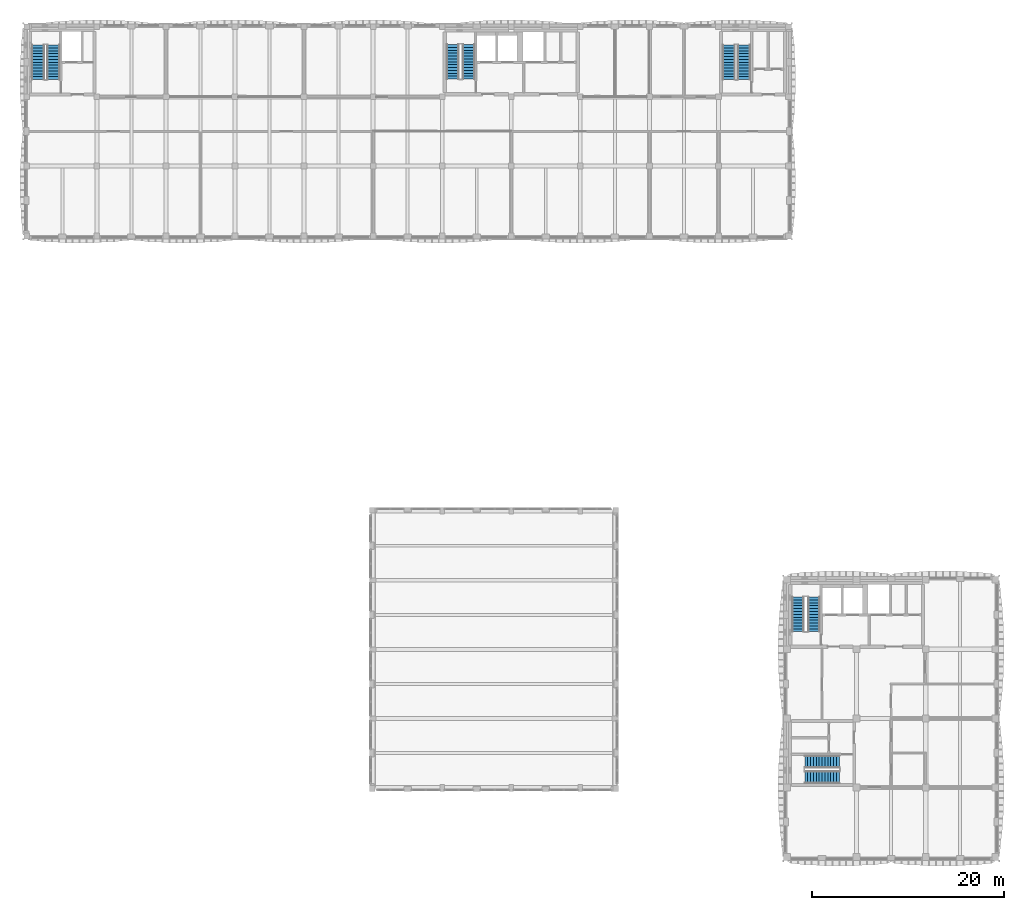
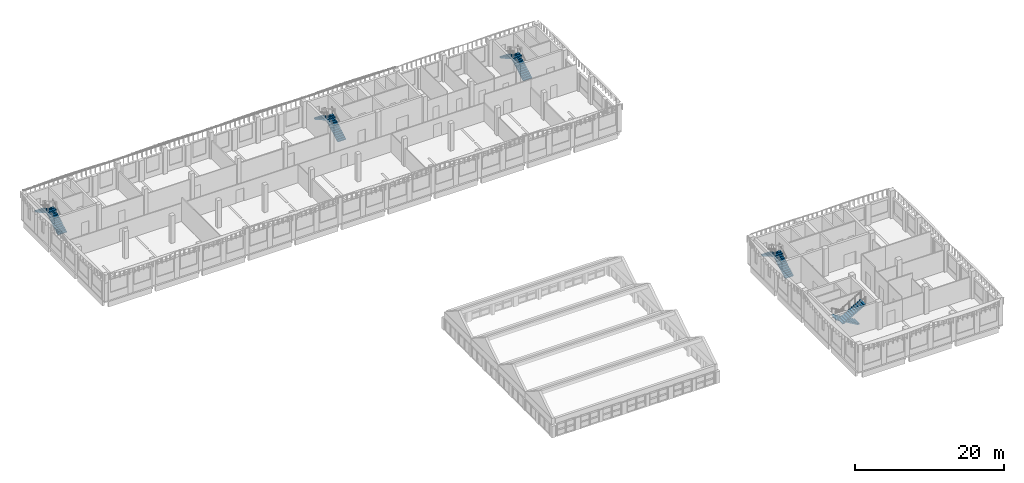
# One storey, part 18 of 38: 10 stair flights, 5 elements without a shape of their own.
"""IFC4 building model written with IfcOpenShell, lengths in metres."""

from ifc_helpers import new_model, si_unit, direction, frame, origin, place, context, subcontext, project, spatial, polyline, outline, extrude, material, type_object, element, aggregate, save


model = new_model("IFC4")

# Units and contexts
model_context = context("Model", 3, precision=1e-05, world=origin(), true_north=direction((0.0, 1.0)))
body_context = subcontext(model_context, "Body", "Model", "MODEL_VIEW")
ifc_project = project(units=[si_unit("LENGTHUNIT", "METRE"), si_unit("AREAUNIT", "SQUARE_METRE"), si_unit("VOLUMEUNIT", "CUBIC_METRE"), si_unit("PLANEANGLEUNIT", "RADIAN"), si_unit("MASSUNIT", "GRAM", prefix="KILO")], contexts=[model_context])

# Site, building, storey
site_placement = place(None, origin())
site = spatial("IfcSite", under=ifc_project, at=site_placement, CompositionType="ELEMENT")
building_placement = place(site_placement, origin())
building = spatial("IfcBuilding", under=site, at=building_placement, Name="Ussher Court Research Institute", CompositionType="ELEMENT")
storey_placement = place(building_placement, frame((0.0, 0.0, 23.39990234375)))
storey = spatial("IfcBuildingStorey", under=building, at=storey_placement, Name="L05", CompositionType="ELEMENT", Elevation=23.39990234375)

# Stair, stair flights
ifc_material_1 = material(Name="Concrete C35/45", Category="concrete")
stair_type_1 = type_object("IfcStairType", Name="Core stair 26 risers 173 mm x 300 going 1280 wide", PredefinedType="HALF_TURN_STAIR", material=ifc_material_1)
stair_1_placement = place(storey_placement, origin())
stair_1 = element("IfcStair", 1, at=stair_1_placement, inside=storey, type_object=stair_type_1, Name="L05 Stair D2", PredefinedType="HALF_TURN_STAIR")
ifc_material_2 = material(Name="Concrete C35/45", Category="concrete")
stair_flight_type_1 = type_object("IfcStairFlightType", Name="Stair flight 13 risers 1280 RC", PredefinedType="STRAIGHT", material=ifc_material_2)
stair_flight_1_placement = place(storey_placement, frame((48.9599609375, 85.050048828125, 0.0), z_axis=(0.0, 0.0, 1.0), x_axis=(0.0, 1.0, 0.0)))
stair_flight_1 = element("IfcStairFlight", 2, at=stair_flight_1_placement, type_object=stair_flight_type_1, Name="D2 flight 1", NumberOfRisers=13, NumberOfTreads=12, PredefinedType="STRAIGHT", RiserHeight=0.173076923, TreadLength=0.3, context=body_context, shape_type="SweptSolid", body=[
    extrude(outline(polyline([(0.0, 0.0), (0.0, 0.173095703125), (0.300048828125, 0.173095703125), (0.300048828125, 0.34619140625), (0.60009765625, 0.34619140625), (0.60009765625, 0.519287109375), (0.89990234375, 0.519287109375), (0.89990234375, 0.6923828125), (1.199951171875, 0.6923828125), (1.199951171875, 0.865478515625), (1.5, 0.865478515625), (1.5, 1.03857421875), (1.800048828125, 1.03857421875), (1.800048828125, 1.21142578125), (2.10009765625, 1.21142578125), (2.10009765625, 1.384521484375), (2.39990234375, 1.384521484375), (2.39990234375, 1.5576171875), (2.699951171875, 1.5576171875), (2.699951171875, 1.730712890625), (3.0, 1.730712890625), (3.0, 1.90380859375), (3.300048828125, 1.90380859375), (3.300048828125, 2.076904296875), (3.60009765625, 2.076904296875), (3.60009765625, 2.25), (3.60009765625, 1.90380859375), (0.300048828125, 0.0), (0.0, 0.0)])), frame((0.0, 0.64013671875, 0.0), z_axis=(0.0, -1.0, 0.0), x_axis=(1.0, 0.0, 0.0)), (0.0, 0.0, 1.0), 1.280029296875),
])
stair_flight_2_placement = place(storey_placement, frame((47.2900390625, 88.64990234375, 2.25), z_axis=(0.0, 0.0, 1.0), x_axis=(0.0, -1.0, 0.0)))
stair_flight_2 = element("IfcStairFlight", 3, at=stair_flight_2_placement, type_object=stair_flight_type_1, Name="D2 flight 2", NumberOfRisers=13, NumberOfTreads=12, PredefinedType="STRAIGHT", RiserHeight=0.173076923, TreadLength=0.3, context=body_context, shape_type="SweptSolid", body=[
    extrude(outline(polyline([(0.0, 0.0), (0.0, 0.173095703125), (0.300048828125, 0.173095703125), (0.300048828125, 0.34619140625), (0.60009765625, 0.34619140625), (0.60009765625, 0.519287109375), (0.89990234375, 0.519287109375), (0.89990234375, 0.6923828125), (1.199951171875, 0.6923828125), (1.199951171875, 0.865478515625), (1.5, 0.865478515625), (1.5, 1.03857421875), (1.800048828125, 1.03857421875), (1.800048828125, 1.21142578125), (2.10009765625, 1.21142578125), (2.10009765625, 1.384521484375), (2.39990234375, 1.384521484375), (2.39990234375, 1.5576171875), (2.699951171875, 1.5576171875), (2.699951171875, 1.730712890625), (3.0, 1.730712890625), (3.0, 1.90380859375), (3.300048828125, 1.90380859375), (3.300048828125, 2.076904296875), (3.60009765625, 2.076904296875), (3.60009765625, 2.25), (3.60009765625, 1.90380859375), (0.300048828125, 0.0), (0.0, 0.0)])), frame((0.0, 0.64013671875, 0.0), z_axis=(0.0, -1.0, 0.0), x_axis=(1.0, 0.0, 0.0)), (0.0, 0.0, 1.0), 1.280029296875),
])
aggregate(stair_1, [stair_flight_1, stair_flight_2])

stair_2_placement = place(storey_placement, origin())
stair_2 = element("IfcStair", 4, at=stair_2_placement, inside=storey, type_object=stair_type_1, Name="L05 Stair T1", PredefinedType="HALF_TURN_STAIR")
stair_flight_3_placement = place(storey_placement, frame((84.9599609375, 27.449951171875, 0.0), z_axis=(0.0, 0.0, 1.0), x_axis=(0.0, 1.0, 0.0)))
stair_flight_3 = element("IfcStairFlight", 5, at=stair_flight_3_placement, type_object=stair_flight_type_1, Name="T1 flight 1", NumberOfRisers=13, NumberOfTreads=12, PredefinedType="STRAIGHT", RiserHeight=0.173076923, TreadLength=0.3, context=body_context, shape_type="SweptSolid", body=[
    extrude(outline(polyline([(0.0, 0.0), (0.0, 0.173095703125), (0.300048828125, 0.173095703125), (0.300048828125, 0.34619140625), (0.60009765625, 0.34619140625), (0.60009765625, 0.519287109375), (0.89990234375, 0.519287109375), (0.89990234375, 0.6923828125), (1.199951171875, 0.6923828125), (1.199951171875, 0.865478515625), (1.5, 0.865478515625), (1.5, 1.03857421875), (1.800048828125, 1.03857421875), (1.800048828125, 1.21142578125), (2.10009765625, 1.21142578125), (2.10009765625, 1.384521484375), (2.39990234375, 1.384521484375), (2.39990234375, 1.5576171875), (2.699951171875, 1.5576171875), (2.699951171875, 1.730712890625), (3.0, 1.730712890625), (3.0, 1.90380859375), (3.300048828125, 1.90380859375), (3.300048828125, 2.076904296875), (3.60009765625, 2.076904296875), (3.60009765625, 2.25), (3.60009765625, 1.90380859375), (0.300048828125, 0.0), (0.0, 0.0)])), frame((0.0, 0.64013671875, 0.0), z_axis=(0.0, -1.0, 0.0), x_axis=(1.0, 0.0, 0.0)), (0.0, 0.0, 1.0), 1.280029296875),
])
stair_flight_4_placement = place(storey_placement, frame((83.2900390625, 31.050048828125, 2.25), z_axis=(0.0, 0.0, 1.0), x_axis=(0.0, -1.0, 0.0)))
stair_flight_4 = element("IfcStairFlight", 6, at=stair_flight_4_placement, type_object=stair_flight_type_1, Name="T1 flight 2", NumberOfRisers=13, NumberOfTreads=12, PredefinedType="STRAIGHT", RiserHeight=0.173076923, TreadLength=0.3, context=body_context, shape_type="SweptSolid", body=[
    extrude(outline(polyline([(0.0, 0.0), (0.0, 0.173095703125), (0.300048828125, 0.173095703125), (0.300048828125, 0.34619140625), (0.60009765625, 0.34619140625), (0.60009765625, 0.519287109375), (0.89990234375, 0.519287109375), (0.89990234375, 0.6923828125), (1.199951171875, 0.6923828125), (1.199951171875, 0.865478515625), (1.5, 0.865478515625), (1.5, 1.03857421875), (1.800048828125, 1.03857421875), (1.800048828125, 1.21142578125), (2.10009765625, 1.21142578125), (2.10009765625, 1.384521484375), (2.39990234375, 1.384521484375), (2.39990234375, 1.5576171875), (2.699951171875, 1.5576171875), (2.699951171875, 1.730712890625), (3.0, 1.730712890625), (3.0, 1.90380859375), (3.300048828125, 1.90380859375), (3.300048828125, 2.076904296875), (3.60009765625, 2.076904296875), (3.60009765625, 2.25), (3.60009765625, 1.90380859375), (0.300048828125, 0.0), (0.0, 0.0)])), frame((0.0, 0.64013671875, 0.0), z_axis=(0.0, -1.0, 0.0), x_axis=(1.0, 0.0, 0.0)), (0.0, 0.0, 1.0), 1.280029296875),
])
aggregate(stair_2, [stair_flight_3, stair_flight_4])

ifc_material_3 = material(Name="Concrete C35/45", Category="concrete")
stair_type_2 = type_object("IfcStairType", Name="Core stair 26 risers 173 mm x 300 going 1300 wide", PredefinedType="HALF_TURN_STAIR", material=ifc_material_3)
stair_3_placement = place(storey_placement, origin())
stair_3 = element("IfcStair", 7, at=stair_3_placement, inside=storey, type_object=stair_type_2, Name="L05 Stair T2", PredefinedType="HALF_TURN_STAIR")
ifc_material_4 = material(Name="Concrete C35/45", Category="concrete")
stair_flight_type_2 = type_object("IfcStairFlightType", Name="Stair flight 13 risers 1300 RC", PredefinedType="STRAIGHT", material=ifc_material_4)
stair_flight_5_placement = place(storey_placement, frame((87.60009765625, 13.89990234375, 0.0), z_axis=(0.0, 0.0, 1.0), x_axis=(-1.0, 0.0, 0.0)))
stair_flight_5 = element("IfcStairFlight", 8, at=stair_flight_5_placement, type_object=stair_flight_type_2, Name="T2 flight 1", NumberOfRisers=13, NumberOfTreads=12, PredefinedType="STRAIGHT", RiserHeight=0.173076923, TreadLength=0.3, context=body_context, shape_type="SweptSolid", body=[
    extrude(outline(polyline([(0.0, 0.0), (0.0, 0.173095703125), (0.300048828125, 0.173095703125), (0.300048828125, 0.34619140625), (0.60009765625, 0.34619140625), (0.60009765625, 0.519287109375), (0.89990234375, 0.519287109375), (0.89990234375, 0.6923828125), (1.199951171875, 0.6923828125), (1.199951171875, 0.865478515625), (1.5, 0.865478515625), (1.5, 1.03857421875), (1.800048828125, 1.03857421875), (1.800048828125, 1.21142578125), (2.10009765625, 1.21142578125), (2.10009765625, 1.384521484375), (2.39990234375, 1.384521484375), (2.39990234375, 1.5576171875), (2.699951171875, 1.5576171875), (2.699951171875, 1.730712890625), (3.0, 1.730712890625), (3.0, 1.90380859375), (3.300048828125, 1.90380859375), (3.300048828125, 2.076904296875), (3.60009765625, 2.076904296875), (3.60009765625, 2.25), (3.60009765625, 1.90380859375), (0.300048828125, 0.0), (0.0, 0.0)])), frame((0.0, 0.64990234375, 0.0), z_axis=(0.0, -1.0, 0.0), x_axis=(1.0, 0.0, 0.0)), (0.0, 0.0, 1.0), 1.300048828125),
])
stair_flight_6_placement = place(storey_placement, frame((84.0, 12.25, 2.25), z_axis=(0.0, 0.0, 1.0), x_axis=(1.0, 0.0, 0.0)))
stair_flight_6 = element("IfcStairFlight", 9, at=stair_flight_6_placement, type_object=stair_flight_type_2, Name="T2 flight 2", NumberOfRisers=13, NumberOfTreads=12, PredefinedType="STRAIGHT", RiserHeight=0.173076923, TreadLength=0.3, context=body_context, shape_type="SweptSolid", body=[
    extrude(outline(polyline([(0.0, 0.0), (0.0, 0.173095703125), (0.300048828125, 0.173095703125), (0.300048828125, 0.34619140625), (0.60009765625, 0.34619140625), (0.60009765625, 0.519287109375), (0.89990234375, 0.519287109375), (0.89990234375, 0.6923828125), (1.199951171875, 0.6923828125), (1.199951171875, 0.865478515625), (1.5, 0.865478515625), (1.5, 1.03857421875), (1.800048828125, 1.03857421875), (1.800048828125, 1.21142578125), (2.10009765625, 1.21142578125), (2.10009765625, 1.384521484375), (2.39990234375, 1.384521484375), (2.39990234375, 1.5576171875), (2.699951171875, 1.5576171875), (2.699951171875, 1.730712890625), (3.0, 1.730712890625), (3.0, 1.90380859375), (3.300048828125, 1.90380859375), (3.300048828125, 2.076904296875), (3.60009765625, 2.076904296875), (3.60009765625, 2.25), (3.60009765625, 1.90380859375), (0.300048828125, 0.0), (0.0, 0.0)])), frame((0.0, 0.64990234375, 0.0), z_axis=(0.0, -1.0, 0.0), x_axis=(1.0, 0.0, 0.0)), (0.0, 0.0, 1.0), 1.300048828125),
])
aggregate(stair_3, [stair_flight_5, stair_flight_6])

ifc_material_5 = material(Name="Concrete C35/45", Category="concrete")
stair_type_3 = type_object("IfcStairType", Name="Core stair 26 risers 173 mm x 300 going 1350 wide", PredefinedType="HALF_TURN_STAIR", material=ifc_material_5)
stair_4_placement = place(storey_placement, origin())
stair_4 = element("IfcStair", 10, at=stair_4_placement, inside=storey, type_object=stair_type_3, Name="L05 Stair D1", PredefinedType="HALF_TURN_STAIR")
ifc_material_6 = material(Name="Concrete C35/45", Category="concrete")
stair_flight_type_3 = type_object("IfcStairFlightType", Name="Stair flight 13 risers 1350 RC", PredefinedType="STRAIGHT", material=ifc_material_6)
stair_flight_7_placement = place(storey_placement, frame((5.675048828125, 85.0, 0.0), z_axis=(0.0, 0.0, 1.0), x_axis=(0.0, 1.0, 0.0)))
stair_flight_7 = element("IfcStairFlight", 11, at=stair_flight_7_placement, type_object=stair_flight_type_3, Name="D1 flight 1", NumberOfRisers=13, NumberOfTreads=12, PredefinedType="STRAIGHT", RiserHeight=0.173076923, TreadLength=0.3, context=body_context, shape_type="SweptSolid", body=[
    extrude(outline(polyline([(0.0, 0.0), (0.0, 0.173095703125), (0.300048828125, 0.173095703125), (0.300048828125, 0.34619140625), (0.60009765625, 0.34619140625), (0.60009765625, 0.519287109375), (0.89990234375, 0.519287109375), (0.89990234375, 0.6923828125), (1.199951171875, 0.6923828125), (1.199951171875, 0.865478515625), (1.5, 0.865478515625), (1.5, 1.03857421875), (1.800048828125, 1.03857421875), (1.800048828125, 1.21142578125), (2.10009765625, 1.21142578125), (2.10009765625, 1.384521484375), (2.39990234375, 1.384521484375), (2.39990234375, 1.5576171875), (2.699951171875, 1.5576171875), (2.699951171875, 1.730712890625), (3.0, 1.730712890625), (3.0, 1.90380859375), (3.300048828125, 1.90380859375), (3.300048828125, 2.076904296875), (3.60009765625, 2.076904296875), (3.60009765625, 2.25), (3.60009765625, 1.90380859375), (0.300048828125, 0.0), (0.0, 0.0)])), frame((0.0, 0.675048828125, 0.0), z_axis=(0.0, -1.0, 0.0), x_axis=(1.0, 0.0, 0.0)), (0.0, 0.0, 1.0), 1.35009765625),
])
stair_flight_8_placement = place(storey_placement, frame((4.074951171875, 88.60009765625, 2.25), z_axis=(0.0, 0.0, 1.0), x_axis=(0.0, -1.0, 0.0)))
stair_flight_8 = element("IfcStairFlight", 12, at=stair_flight_8_placement, type_object=stair_flight_type_3, Name="D1 flight 2", NumberOfRisers=13, NumberOfTreads=12, PredefinedType="STRAIGHT", RiserHeight=0.173076923, TreadLength=0.3, context=body_context, shape_type="SweptSolid", body=[
    extrude(outline(polyline([(0.0, 0.0), (0.0, 0.173095703125), (0.300048828125, 0.173095703125), (0.300048828125, 0.34619140625), (0.60009765625, 0.34619140625), (0.60009765625, 0.519287109375), (0.89990234375, 0.519287109375), (0.89990234375, 0.6923828125), (1.199951171875, 0.6923828125), (1.199951171875, 0.865478515625), (1.5, 0.865478515625), (1.5, 1.03857421875), (1.800048828125, 1.03857421875), (1.800048828125, 1.21142578125), (2.10009765625, 1.21142578125), (2.10009765625, 1.384521484375), (2.39990234375, 1.384521484375), (2.39990234375, 1.5576171875), (2.699951171875, 1.5576171875), (2.699951171875, 1.730712890625), (3.0, 1.730712890625), (3.0, 1.90380859375), (3.300048828125, 1.90380859375), (3.300048828125, 2.076904296875), (3.60009765625, 2.076904296875), (3.60009765625, 2.25), (3.60009765625, 1.90380859375), (0.300048828125, 0.0), (0.0, 0.0)])), frame((0.0, 0.675048828125, 0.0), z_axis=(0.0, -1.0, 0.0), x_axis=(1.0, 0.0, 0.0)), (0.0, 0.0, 1.0), 1.35009765625),
])
aggregate(stair_4, [stair_flight_7, stair_flight_8])

stair_5_placement = place(storey_placement, origin())
stair_5 = element("IfcStair", 13, at=stair_5_placement, inside=storey, type_object=stair_type_3, Name="L05 Stair D3", PredefinedType="HALF_TURN_STAIR")
stair_flight_9_placement = place(storey_placement, frame((77.675048828125, 85.0, 0.0), z_axis=(0.0, 0.0, 1.0), x_axis=(0.0, 1.0, 0.0)))
stair_flight_9 = element("IfcStairFlight", 14, at=stair_flight_9_placement, type_object=stair_flight_type_3, Name="D3 flight 1", NumberOfRisers=13, NumberOfTreads=12, PredefinedType="STRAIGHT", RiserHeight=0.173076923, TreadLength=0.3, context=body_context, shape_type="SweptSolid", body=[
    extrude(outline(polyline([(0.0, 0.0), (0.0, 0.173095703125), (0.300048828125, 0.173095703125), (0.300048828125, 0.34619140625), (0.60009765625, 0.34619140625), (0.60009765625, 0.519287109375), (0.89990234375, 0.519287109375), (0.89990234375, 0.6923828125), (1.199951171875, 0.6923828125), (1.199951171875, 0.865478515625), (1.5, 0.865478515625), (1.5, 1.03857421875), (1.800048828125, 1.03857421875), (1.800048828125, 1.21142578125), (2.10009765625, 1.21142578125), (2.10009765625, 1.384521484375), (2.39990234375, 1.384521484375), (2.39990234375, 1.5576171875), (2.699951171875, 1.5576171875), (2.699951171875, 1.730712890625), (3.0, 1.730712890625), (3.0, 1.90380859375), (3.300048828125, 1.90380859375), (3.300048828125, 2.076904296875), (3.60009765625, 2.076904296875), (3.60009765625, 2.25), (3.60009765625, 1.90380859375), (0.300048828125, 0.0), (0.0, 0.0)])), frame((0.0, 0.675048828125, 0.0), z_axis=(0.0, -1.0, 0.0), x_axis=(1.0, 0.0, 0.0)), (0.0, 0.0, 1.0), 1.35009765625),
])
stair_flight_10_placement = place(storey_placement, frame((76.074951171875, 88.60009765625, 2.25), z_axis=(0.0, 0.0, 1.0), x_axis=(0.0, -1.0, 0.0)))
stair_flight_10 = element("IfcStairFlight", 15, at=stair_flight_10_placement, type_object=stair_flight_type_3, Name="D3 flight 2", NumberOfRisers=13, NumberOfTreads=12, PredefinedType="STRAIGHT", RiserHeight=0.173076923, TreadLength=0.3, context=body_context, shape_type="SweptSolid", body=[
    extrude(outline(polyline([(0.0, 0.0), (0.0, 0.173095703125), (0.300048828125, 0.173095703125), (0.300048828125, 0.34619140625), (0.60009765625, 0.34619140625), (0.60009765625, 0.519287109375), (0.89990234375, 0.519287109375), (0.89990234375, 0.6923828125), (1.199951171875, 0.6923828125), (1.199951171875, 0.865478515625), (1.5, 0.865478515625), (1.5, 1.03857421875), (1.800048828125, 1.03857421875), (1.800048828125, 1.21142578125), (2.10009765625, 1.21142578125), (2.10009765625, 1.384521484375), (2.39990234375, 1.384521484375), (2.39990234375, 1.5576171875), (2.699951171875, 1.5576171875), (2.699951171875, 1.730712890625), (3.0, 1.730712890625), (3.0, 1.90380859375), (3.300048828125, 1.90380859375), (3.300048828125, 2.076904296875), (3.60009765625, 2.076904296875), (3.60009765625, 2.25), (3.60009765625, 1.90380859375), (0.300048828125, 0.0), (0.0, 0.0)])), frame((0.0, 0.675048828125, 0.0), z_axis=(0.0, -1.0, 0.0), x_axis=(1.0, 0.0, 0.0)), (0.0, 0.0, 1.0), 1.35009765625),
])
aggregate(stair_5, [stair_flight_9, stair_flight_10])

save(model, "model.ifc")
